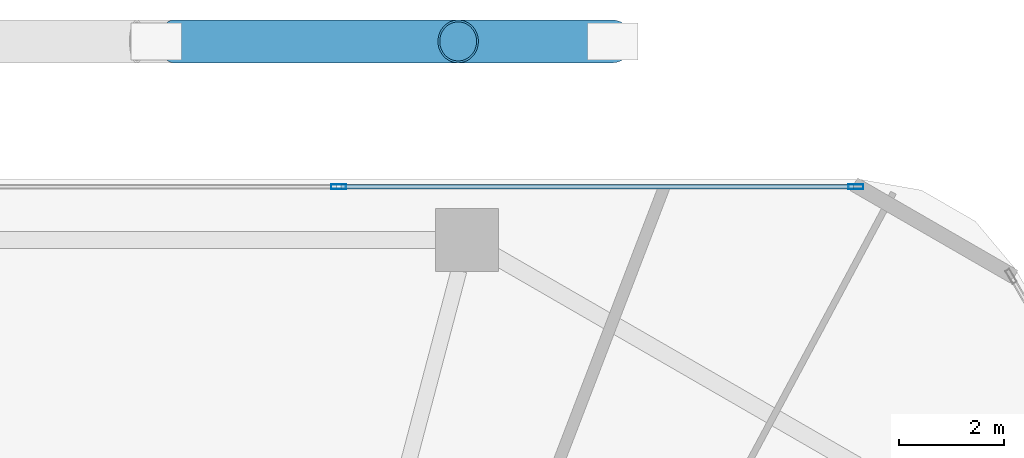
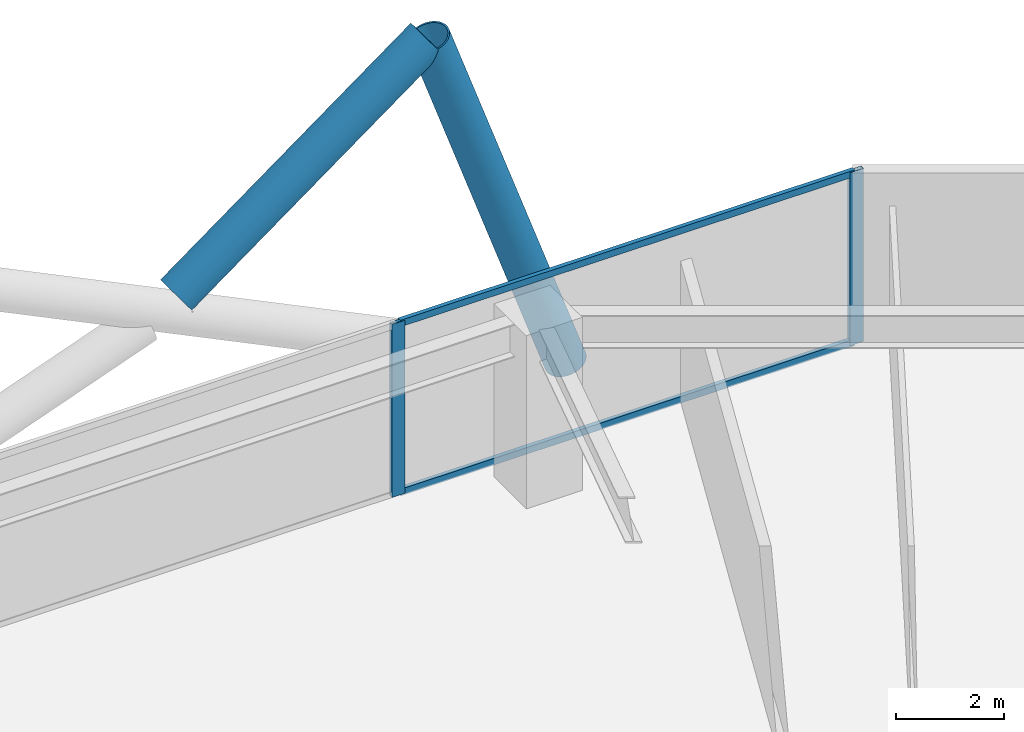
# One storey, part 21 of 28: 6 members, 1 element without a shape of its own.
"""IFC4 building model written with IfcOpenShell, lengths in metres."""

from ifc_helpers import new_model, si_unit, direction, frame, origin, origin_2d, place, context, subcontext, project, spatial, hollow_rectangle, hollow_circle, extrude, material, material_profile, profile_set, type_object, element, aggregate, save


model = new_model("IFC4")

# Units and contexts
model_context = context("Model", 3, precision=1e-05, world=origin(), true_north=direction((0.0, 1.0)))
body_context = subcontext(model_context, "Body", "Model", "MODEL_VIEW")
ifc_project = project(units=[si_unit("LENGTHUNIT", "METRE"), si_unit("AREAUNIT", "SQUARE_METRE"), si_unit("VOLUMEUNIT", "CUBIC_METRE"), si_unit("PLANEANGLEUNIT", "RADIAN"), si_unit("MASSUNIT", "GRAM", prefix="KILO")], contexts=[model_context])

# Site, building, storey
site_placement = place(None, origin())
site = spatial("IfcSite", under=ifc_project, at=site_placement, CompositionType="ELEMENT")
building_placement = place(site_placement, origin())
building = spatial("IfcBuilding", under=site, at=building_placement, Name="Zuhravey Tower", CompositionType="ELEMENT")
storey_placement = place(building_placement, frame((0.0, 0.0, 75.0)))
storey = spatial("IfcBuildingStorey", under=building, at=storey_placement, Name="L18", CompositionType="ELEMENT", Elevation=75.0)

# Curtain wall, members
ifc_material_1 = material(Name="Thermally broken anodised aluminium", Category="aluminium")
curtain_wall_type = type_object("IfcCurtainWallType", Name="School Low-E Unitised Curtain Wall CW1", PredefinedType="NOTDEFINED", material=ifc_material_1)
curtain_wall_placement = place(storey_placement, origin())
curtain_wall = element("IfcCurtainWall", 1, at=curtain_wall_placement, inside=storey, type_object=curtain_wall_type, Name="L18 CW1 CW-L18-F2-1", PredefinedType="NOTDEFINED")
ifc_material_2 = material(Name="Anodised aluminium", Category="aluminium")
ifc_material_profile_1 = material_profile(ifc_material_2, hollow_rectangle(XDim=0.090087890625, YDim=0.284912109375, WallThickness=0.0048828125, at=origin_2d()), Name="ALU-RHS-90x285x5")
ifc_profile_set_1 = profile_set([ifc_material_profile_1], Name="Anodised aluminium")
member_type_1 = type_object("IfcMemberType", Name="Curtain-Wall Mullion 90x180", PredefinedType="MULLION", material=ifc_profile_set_1)
member_1_placement = place(storey_placement, frame((40.93310546875, 60.95849609375, 0.0), z_axis=(0.0, 0.0, 1.0), x_axis=(0.0, 1.0, 0.0)))
member_1 = element("IfcMember", 2, at=member_1_placement, type_object=member_type_1, Name="CW1 mullion 3", PredefinedType="MULLION", context=body_context, shape_type="SweptSolid", body=[
    extrude(hollow_rectangle(XDim=0.090087890625, YDim=0.284912109375, WallThickness=0.0048828125, at=origin_2d()), origin(), (0.0, 0.0, 1.0), 3.919921875),
])
member_2_placement = place(storey_placement, frame((50.75439453125, 60.95849609375, 0.0), z_axis=(0.0, 0.0, 1.0), x_axis=(0.0, 1.0, 0.0)))
member_2 = element("IfcMember", 3, at=member_2_placement, type_object=member_type_1, Name="CW1 mullion 4", PredefinedType="MULLION", context=body_context, shape_type="SweptSolid", body=[
    extrude(hollow_rectangle(XDim=0.090087890625, YDim=0.284912109375, WallThickness=0.0048828125, at=origin_2d()), origin(), (0.0, 0.0, 1.0), 3.919921875),
])
ifc_material_profile_2 = material_profile(ifc_material_2, hollow_rectangle(XDim=0.090087890625, YDim=0.14990234375, WallThickness=0.0048828125, at=origin_2d()), Name="ALU-RHS-90x150x5")
ifc_profile_set_2 = profile_set([ifc_material_profile_2], Name="Anodised aluminium")
member_type_2 = type_object("IfcMemberType", Name="Curtain-Wall Transom 90x150", PredefinedType="USERDEFINED", material=ifc_profile_set_2)
member_3_placement = place(storey_placement, frame((40.978271484375, 60.95849609375, 0.044921875), z_axis=(1.0, 0.0, 0.0), x_axis=(0.0, 1.0, 0.0)))
member_3 = element("IfcMember", 4, at=member_3_placement, type_object=member_type_2, Name="CW1 transom 3.1", ObjectType="TRANSOM", PredefinedType="USERDEFINED", context=body_context, shape_type="SweptSolid", body=[
    extrude(hollow_rectangle(XDim=0.090087890625, YDim=0.14990234375, WallThickness=0.0048828125, at=origin_2d()), origin(), (0.0, 0.0, 1.0), 9.731201171875),
])
member_4_placement = place(storey_placement, frame((40.978271484375, 60.95849609375, 3.875), z_axis=(1.0, 0.0, 0.0), x_axis=(0.0, 1.0, 0.0)))
member_4 = element("IfcMember", 5, at=member_4_placement, type_object=member_type_2, Name="CW1 transom 3.2", ObjectType="TRANSOM", PredefinedType="USERDEFINED", context=body_context, shape_type="SweptSolid", body=[
    extrude(hollow_rectangle(XDim=0.090087890625, YDim=0.14990234375, WallThickness=0.0048828125, at=origin_2d()), origin(), (0.0, 0.0, 1.0), 9.731201171875),
])
aggregate(curtain_wall, [member_1, member_2, member_3, member_4])

# Members
ifc_material_3 = material(Name="Steel SM460", Category="steel")
ifc_material_profile_3 = material_profile(ifc_material_3, hollow_circle(Radius=0.406494140625, WallThickness=0.035888671875, at=origin_2d()), Name="CHS-812.8x36")
ifc_profile_set_3 = profile_set([ifc_material_profile_3], Name="Steel SM460")
member_type_3 = type_object("IfcMemberType", Name="Exoskeleton Zone 1 Diagrid CHS813x36", PredefinedType="BRACE", material=ifc_profile_set_3)
member_5_placement = place(storey_placement, frame((46.129150390625, 63.718505859375, -0.471923828125), z_axis=(-0.330642732694, 0.0, 0.943755997764), x_axis=(0.0, -1.0, 0.0)))
element("IfcMember", 6, at=member_5_placement, inside=storey, type_object=member_type_3, Name="L18 Face 2 Diagrid Brace 1", PredefinedType="BRACE", context=body_context, shape_type="SweptSolid", body=[
    extrude(hollow_circle(Radius=0.406494140625, WallThickness=0.035888671875, at=origin_2d()), origin(), (0.0, 0.0, 1.0), 8.85400390625),
])
member_6_placement = place(storey_placement, frame((37.791259765625, 63.718505859375, 3.940673828125), z_axis=(0.806163372301, 0.0, 0.59169300922), x_axis=(0.0, 1.0, 0.0)))
element("IfcMember", 7, at=member_6_placement, inside=storey, type_object=member_type_3, Name="L18 Face 2 Split Diagrid Brace 3B", PredefinedType="BRACE", context=body_context, shape_type="SweptSolid", body=[
    extrude(hollow_circle(Radius=0.406494140625, WallThickness=0.035888671875, at=origin_2d()), origin(), (0.0, 0.0, 1.0), 6.6513671875),
])

save(model, "model.ifc")
